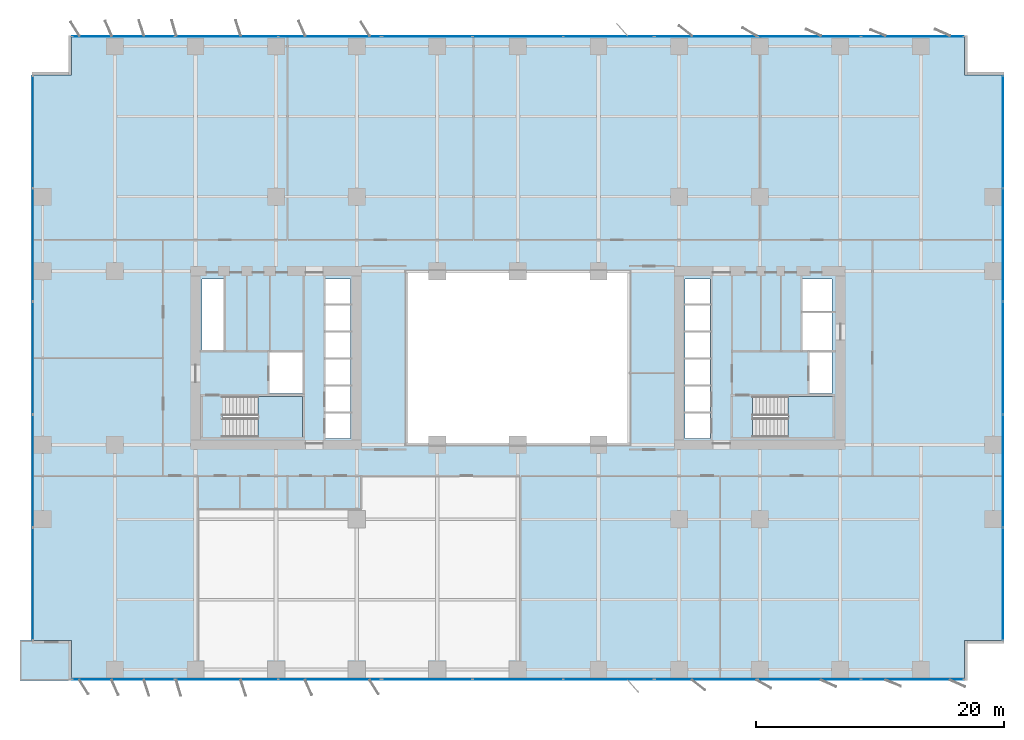
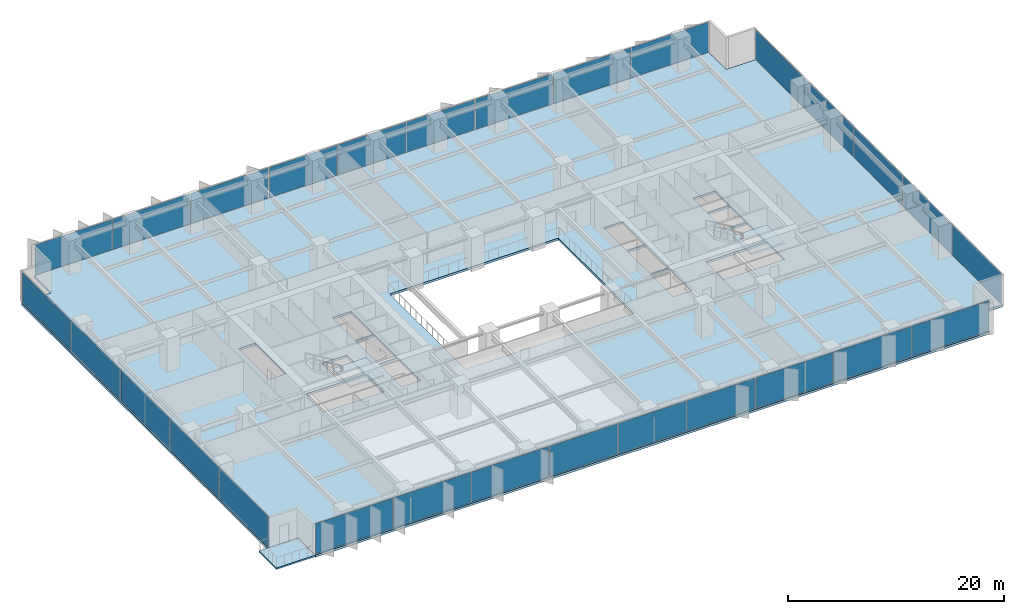
# One storey, part 12 of 21: 28 plates, 4 slabs, 10 elements without a shape of their own.
"""IFC4 building model written with IfcOpenShell, lengths in metres."""

from ifc_helpers import new_model, si_unit, direction, frame, origin, origin_2d, place, context, subcontext, project, spatial, polyline, rectangle, outline, extrude, material, layer, layer_set, type_object, element, aggregate, save


model = new_model("IFC4")

# Units and contexts
model_context = context("Model", 3, precision=1e-05, world=origin(), true_north=direction((0.0, 1.0)))
body_context = subcontext(model_context, "Body", "Model", "MODEL_VIEW")
ifc_project = project(units=[si_unit("LENGTHUNIT", "METRE"), si_unit("AREAUNIT", "SQUARE_METRE"), si_unit("VOLUMEUNIT", "CUBIC_METRE"), si_unit("PLANEANGLEUNIT", "RADIAN"), si_unit("MASSUNIT", "GRAM", prefix="KILO")], contexts=[model_context])

# Site, building, storey
site_placement = place(None, origin())
site = spatial("IfcSite", under=ifc_project, at=site_placement, CompositionType="ELEMENT")
building_placement = place(site_placement, origin())
building = spatial("IfcBuilding", under=site, at=building_placement, Name="Putna Gate Headquarters", CompositionType="ELEMENT")
storey_placement = place(building_placement, frame((0.0, 0.0, 39.199951171875)))
storey = spatial("IfcBuildingStorey", under=building, at=storey_placement, Name="L08", CompositionType="ELEMENT", Elevation=39.199951171875)

# Stair, slab
ifc_material_1 = material(Name="Concrete C40/50", Category="concrete")
stair_type_1 = type_object("IfcStairType", Name="STAIR-ST1", PredefinedType="HALF_TURN_STAIR", material=ifc_material_1)
stair_1_placement = place(storey_placement, origin())
stair_1 = element("IfcStair", 1, at=stair_1_placement, inside=storey, type_object=stair_type_1, Name="L08 West Core Exit Stair ST1", PredefinedType="HALF_TURN_STAIR")
ifc_layer_1 = layer(ifc_material_1, 0.199951171875)
ifc_layer_set_1 = layer_set([ifc_layer_1], Name="Concrete C40/50")
slab_type_1 = type_object("IfcSlabType", Name="LANDING-ST1", PredefinedType="LANDING", material=ifc_layer_set_1)
slab_1_placement = place(storey_placement, frame((0.0, 0.0, 1.699951171875)))
slab_1 = element("IfcSlab", 2, at=slab_1_placement, type_object=slab_type_1, Name="ST1 landing 1", PredefinedType="LANDING", context=body_context, shape_type="SweptSolid", body=[
    extrude(outline(polyline([(18.050048828125, 19.60009765625), (21.64990234375, 19.60009765625), (21.64990234375, 22.89990234375), (18.050048828125, 22.89990234375), (18.050048828125, 19.60009765625)])), origin(), (0.0, 0.0, 1.0), 0.2001953125),
])
aggregate(stair_1, [slab_1])

stair_type_2 = type_object("IfcStairType", Name="STAIR-ST2", PredefinedType="HALF_TURN_STAIR", material=ifc_material_1)
stair_2_placement = place(storey_placement, origin())
stair_2 = element("IfcStair", 3, at=stair_2_placement, inside=storey, type_object=stair_type_2, Name="L08 East Core Exit Stair ST2", PredefinedType="HALF_TURN_STAIR")
ifc_layer_2 = layer(ifc_material_1, 0.199951171875)
ifc_layer_set_2 = layer_set([ifc_layer_2], Name="Concrete C40/50")
slab_type_2 = type_object("IfcSlabType", Name="LANDING-ST2", PredefinedType="LANDING", material=ifc_layer_set_2)
slab_2_placement = place(storey_placement, frame((0.0, 0.0, 1.699951171875)))
slab_2 = element("IfcSlab", 4, at=slab_2_placement, type_object=slab_type_2, Name="ST2 landing 1", PredefinedType="LANDING", context=body_context, shape_type="SweptSolid", body=[
    extrude(outline(polyline([(60.800048828125, 19.60009765625), (64.39990234375, 19.60009765625), (64.39990234375, 22.89990234375), (60.800048828125, 22.89990234375), (60.800048828125, 19.60009765625)])), origin(), (0.0, 0.0, 1.0), 0.2001953125),
])
aggregate(stair_2, [slab_2])

# Curtain wall, plates
ifc_material_2 = material(Name="Anodised bronze aluminium curtain wall", Category="aluminium")
ifc_layer_3 = layer(ifc_material_2, 0.179931640625)
ifc_layer_set_3 = layer_set([ifc_layer_3], Name="Anodised bronze aluminium curtain wall")
curtain_wall_type_1 = type_object("IfcCurtainWallType", Name="CW-SYS-Z1", PredefinedType="USERDEFINED", material=ifc_layer_set_3)
curtain_wall_1_placement = place(storey_placement, origin())
curtain_wall_1 = element("IfcCurtainWall", 5, at=curtain_wall_1_placement, inside=storey, type_object=curtain_wall_type_1, Name="L08 South West Curtain Wall", ObjectType="STICK CURTAIN WALL", PredefinedType="USERDEFINED")
ifc_material_3 = material(Name="Solar-control triple low-E glass", Category="glass")
ifc_layer_4 = layer(ifc_material_3, 0.031982421875)
ifc_layer_set_4 = layer_set([ifc_layer_4], Name="Solar-control triple low-E glass")
plate_type_1 = type_object("IfcPlateType", Name="PAN-CWP-1", PredefinedType="CURTAIN_PANEL", material=ifc_layer_set_4)
plate_1_placement = place(storey_placement, frame((7.18408203125, 0.080078125, 0.065185546875), z_axis=(0.0, 0.0, 1.0), x_axis=(1.0, 0.0, 0.0)))
plate_1 = element("IfcPlate", 6, at=plate_1_placement, type_object=plate_type_1, Name="CWS-1 panel 1.1", PredefinedType="CURTAIN_PANEL", context=body_context, shape_type="SweptSolid", body=[
    extrude(rectangle(XDim=8.228271484375, YDim=0.031982421875, at=origin_2d()), origin(), (0.0, 0.0, 1.0), 3.419921875),
])
plate_2_placement = place(storey_placement, frame((15.5, 0.080078125, 0.065185546875), z_axis=(0.0, 0.0, 1.0), x_axis=(1.0, 0.0, 0.0)))
plate_2 = element("IfcPlate", 7, at=plate_2_placement, type_object=plate_type_1, Name="CWS-1 panel 2.1", PredefinedType="CURTAIN_PANEL", context=body_context, shape_type="SweptSolid", body=[
    extrude(rectangle(XDim=8.263427734375, YDim=0.031982421875, at=origin_2d()), origin(), (0.0, 0.0, 1.0), 3.419921875),
])
plate_3_placement = place(storey_placement, frame((23.81591796875, 0.080078125, 0.065185546875), z_axis=(0.0, 0.0, 1.0), x_axis=(1.0, 0.0, 0.0)))
plate_3 = element("IfcPlate", 8, at=plate_3_placement, type_object=plate_type_1, Name="CWS-1 panel 3.1", PredefinedType="CURTAIN_PANEL", context=body_context, shape_type="SweptSolid", body=[
    extrude(rectangle(XDim=8.228271484375, YDim=0.031982421875, at=origin_2d()), origin(), (0.0, 0.0, 1.0), 3.419921875),
])
aggregate(curtain_wall_1, [plate_1, plate_2, plate_3])

curtain_wall_2_placement = place(storey_placement, origin())
curtain_wall_2 = element("IfcCurtainWall", 9, at=curtain_wall_2_placement, inside=storey, type_object=curtain_wall_type_1, Name="L08 South East Curtain Wall", ObjectType="STICK CURTAIN WALL", PredefinedType="USERDEFINED")
plate_4_placement = place(storey_placement, frame((54.18408203125, 0.080078125, 0.065185546875), z_axis=(0.0, 0.0, 1.0), x_axis=(1.0, 0.0, 0.0)))
plate_4 = element("IfcPlate", 10, at=plate_4_placement, type_object=plate_type_1, Name="CWS-1 panel 1.1", PredefinedType="CURTAIN_PANEL", context=body_context, shape_type="SweptSolid", body=[
    extrude(rectangle(XDim=8.228271484375, YDim=0.031982421875, at=origin_2d()), origin(), (0.0, 0.0, 1.0), 3.419921875),
])
plate_5_placement = place(storey_placement, frame((62.5, 0.080078125, 0.065185546875), z_axis=(0.0, 0.0, 1.0), x_axis=(1.0, 0.0, 0.0)))
plate_5 = element("IfcPlate", 11, at=plate_5_placement, type_object=plate_type_1, Name="CWS-1 panel 2.1", PredefinedType="CURTAIN_PANEL", context=body_context, shape_type="SweptSolid", body=[
    extrude(rectangle(XDim=8.263427734375, YDim=0.031982421875, at=origin_2d()), origin(), (0.0, 0.0, 1.0), 3.419921875),
])
plate_6_placement = place(storey_placement, frame((70.81591796875, 0.080078125, 0.065185546875), z_axis=(0.0, 0.0, 1.0), x_axis=(1.0, 0.0, 0.0)))
plate_6 = element("IfcPlate", 12, at=plate_6_placement, type_object=plate_type_1, Name="CWS-1 panel 3.1", PredefinedType="CURTAIN_PANEL", context=body_context, shape_type="SweptSolid", body=[
    extrude(rectangle(XDim=8.228271484375, YDim=0.031982421875, at=origin_2d()), origin(), (0.0, 0.0, 1.0), 3.419921875),
])
aggregate(curtain_wall_2, [plate_4, plate_5, plate_6])

curtain_wall_3_placement = place(storey_placement, origin())
curtain_wall_3 = element("IfcCurtainWall", 13, at=curtain_wall_3_placement, inside=storey, type_object=curtain_wall_type_1, Name="L08 North West Curtain Wall", ObjectType="STICK CURTAIN WALL", PredefinedType="USERDEFINED")
plate_7_placement = place(storey_placement, frame((7.18408203125, 51.919921875, 0.065185546875), z_axis=(0.0, 0.0, 1.0), x_axis=(1.0, 0.0, 0.0)))
plate_7 = element("IfcPlate", 14, at=plate_7_placement, type_object=plate_type_1, Name="CWS-1 panel 1.1", PredefinedType="CURTAIN_PANEL", context=body_context, shape_type="SweptSolid", body=[
    extrude(rectangle(XDim=8.228271484375, YDim=0.031982421875, at=origin_2d()), origin(), (0.0, 0.0, 1.0), 3.419921875),
])
plate_8_placement = place(storey_placement, frame((15.5, 51.919921875, 0.065185546875), z_axis=(0.0, 0.0, 1.0), x_axis=(1.0, 0.0, 0.0)))
plate_8 = element("IfcPlate", 15, at=plate_8_placement, type_object=plate_type_1, Name="CWS-1 panel 2.1", PredefinedType="CURTAIN_PANEL", context=body_context, shape_type="SweptSolid", body=[
    extrude(rectangle(XDim=8.263427734375, YDim=0.031982421875, at=origin_2d()), origin(), (0.0, 0.0, 1.0), 3.419921875),
])
plate_9_placement = place(storey_placement, frame((23.81591796875, 51.919921875, 0.065185546875), z_axis=(0.0, 0.0, 1.0), x_axis=(1.0, 0.0, 0.0)))
plate_9 = element("IfcPlate", 16, at=plate_9_placement, type_object=plate_type_1, Name="CWS-1 panel 3.1", PredefinedType="CURTAIN_PANEL", context=body_context, shape_type="SweptSolid", body=[
    extrude(rectangle(XDim=8.228271484375, YDim=0.031982421875, at=origin_2d()), origin(), (0.0, 0.0, 1.0), 3.419921875),
])
aggregate(curtain_wall_3, [plate_7, plate_8, plate_9])

curtain_wall_4_placement = place(storey_placement, origin())
curtain_wall_4 = element("IfcCurtainWall", 17, at=curtain_wall_4_placement, inside=storey, type_object=curtain_wall_type_1, Name="L08 North East Curtain Wall", ObjectType="STICK CURTAIN WALL", PredefinedType="USERDEFINED")
plate_10_placement = place(storey_placement, frame((54.18408203125, 51.919921875, 0.065185546875), z_axis=(0.0, 0.0, 1.0), x_axis=(1.0, 0.0, 0.0)))
plate_10 = element("IfcPlate", 18, at=plate_10_placement, type_object=plate_type_1, Name="CWS-1 panel 1.1", PredefinedType="CURTAIN_PANEL", context=body_context, shape_type="SweptSolid", body=[
    extrude(rectangle(XDim=8.228271484375, YDim=0.031982421875, at=origin_2d()), origin(), (0.0, 0.0, 1.0), 3.419921875),
])
plate_11_placement = place(storey_placement, frame((62.5, 51.919921875, 0.065185546875), z_axis=(0.0, 0.0, 1.0), x_axis=(1.0, 0.0, 0.0)))
plate_11 = element("IfcPlate", 19, at=plate_11_placement, type_object=plate_type_1, Name="CWS-1 panel 2.1", PredefinedType="CURTAIN_PANEL", context=body_context, shape_type="SweptSolid", body=[
    extrude(rectangle(XDim=8.263427734375, YDim=0.031982421875, at=origin_2d()), origin(), (0.0, 0.0, 1.0), 3.419921875),
])
plate_12_placement = place(storey_placement, frame((70.81591796875, 51.919921875, 0.065185546875), z_axis=(0.0, 0.0, 1.0), x_axis=(1.0, 0.0, 0.0)))
plate_12 = element("IfcPlate", 20, at=plate_12_placement, type_object=plate_type_1, Name="CWS-1 panel 3.1", PredefinedType="CURTAIN_PANEL", context=body_context, shape_type="SweptSolid", body=[
    extrude(rectangle(XDim=8.228271484375, YDim=0.031982421875, at=origin_2d()), origin(), (0.0, 0.0, 1.0), 3.419921875),
])
aggregate(curtain_wall_4, [plate_10, plate_11, plate_12])

curtain_wall_5_placement = place(storey_placement, origin())
curtain_wall_5 = element("IfcCurtainWall", 21, at=curtain_wall_5_placement, inside=storey, type_object=curtain_wall_type_1, Name="L08 West Curtain Wall", ObjectType="STICK CURTAIN WALL", PredefinedType="USERDEFINED")
plate_13_placement = place(storey_placement, frame((-0.1201171875, 7.777587890625, 0.065185546875), z_axis=(0.0, 0.0, 1.0), x_axis=(0.0, 1.0, 0.0)))
plate_13 = element("IfcPlate", 22, at=plate_13_placement, type_object=plate_type_1, Name="CWS-1 panel 1.1", PredefinedType="CURTAIN_PANEL", context=body_context, shape_type="SweptSolid", body=[
    extrude(rectangle(XDim=9.014892578125, YDim=0.031982421875, at=origin_2d()), origin(), (0.0, 0.0, 1.0), 3.419921875),
])
plate_14_placement = place(storey_placement, frame((-0.1201171875, 16.8798828125, 0.065185546875), z_axis=(0.0, 0.0, 1.0), x_axis=(0.0, 1.0, 0.0)))
plate_14 = element("IfcPlate", 23, at=plate_14_placement, type_object=plate_type_1, Name="CWS-1 panel 2.1", PredefinedType="CURTAIN_PANEL", context=body_context, shape_type="SweptSolid", body=[
    extrude(rectangle(XDim=9.050048828125, YDim=0.031982421875, at=origin_2d()), origin(), (0.0, 0.0, 1.0), 3.419921875),
])
plate_15_placement = place(storey_placement, frame((-0.1201171875, 26.0, 0.065185546875), z_axis=(0.0, 0.0, 1.0), x_axis=(0.0, 1.0, 0.0)))
plate_15 = element("IfcPlate", 24, at=plate_15_placement, type_object=plate_type_1, Name="CWS-1 panel 3.1", PredefinedType="CURTAIN_PANEL", context=body_context, shape_type="SweptSolid", body=[
    extrude(rectangle(XDim=9.050048828125, YDim=0.031982421875, at=origin_2d()), origin(), (0.0, 0.0, 1.0), 3.419921875),
])
plate_16_placement = place(storey_placement, frame((-0.1201171875, 35.1201171875, 0.065185546875), z_axis=(0.0, 0.0, 1.0), x_axis=(0.0, 1.0, 0.0)))
plate_16 = element("IfcPlate", 25, at=plate_16_placement, type_object=plate_type_1, Name="CWS-1 panel 4.1", PredefinedType="CURTAIN_PANEL", context=body_context, shape_type="SweptSolid", body=[
    extrude(rectangle(XDim=9.050048828125, YDim=0.031982421875, at=origin_2d()), origin(), (0.0, 0.0, 1.0), 3.419921875),
])
plate_17_placement = place(storey_placement, frame((-0.1201171875, 44.222412109375, 0.065185546875), z_axis=(0.0, 0.0, 1.0), x_axis=(0.0, 1.0, 0.0)))
plate_17 = element("IfcPlate", 26, at=plate_17_placement, type_object=plate_type_1, Name="CWS-1 panel 5.1", PredefinedType="CURTAIN_PANEL", context=body_context, shape_type="SweptSolid", body=[
    extrude(rectangle(XDim=9.014892578125, YDim=0.031982421875, at=origin_2d()), origin(), (0.0, 0.0, 1.0), 3.419921875),
])
aggregate(curtain_wall_5, [plate_13, plate_14, plate_15, plate_16, plate_17])

curtain_wall_6_placement = place(storey_placement, origin())
curtain_wall_6 = element("IfcCurtainWall", 27, at=curtain_wall_6_placement, inside=storey, type_object=curtain_wall_type_1, Name="L08 East Curtain Wall", ObjectType="STICK CURTAIN WALL", PredefinedType="USERDEFINED")
plate_18_placement = place(storey_placement, frame((78.1201171875, 7.777587890625, 0.065185546875), z_axis=(0.0, 0.0, 1.0), x_axis=(0.0, 1.0, 0.0)))
plate_18 = element("IfcPlate", 28, at=plate_18_placement, type_object=plate_type_1, Name="CWS-1 panel 1.1", PredefinedType="CURTAIN_PANEL", context=body_context, shape_type="SweptSolid", body=[
    extrude(rectangle(XDim=9.014892578125, YDim=0.031982421875, at=origin_2d()), origin(), (0.0, 0.0, 1.0), 3.419921875),
])
plate_19_placement = place(storey_placement, frame((78.1201171875, 16.8798828125, 0.065185546875), z_axis=(0.0, 0.0, 1.0), x_axis=(0.0, 1.0, 0.0)))
plate_19 = element("IfcPlate", 29, at=plate_19_placement, type_object=plate_type_1, Name="CWS-1 panel 2.1", PredefinedType="CURTAIN_PANEL", context=body_context, shape_type="SweptSolid", body=[
    extrude(rectangle(XDim=9.050048828125, YDim=0.031982421875, at=origin_2d()), origin(), (0.0, 0.0, 1.0), 3.419921875),
])
plate_20_placement = place(storey_placement, frame((78.1201171875, 26.0, 0.065185546875), z_axis=(0.0, 0.0, 1.0), x_axis=(0.0, 1.0, 0.0)))
plate_20 = element("IfcPlate", 30, at=plate_20_placement, type_object=plate_type_1, Name="CWS-1 panel 3.1", PredefinedType="CURTAIN_PANEL", context=body_context, shape_type="SweptSolid", body=[
    extrude(rectangle(XDim=9.050048828125, YDim=0.031982421875, at=origin_2d()), origin(), (0.0, 0.0, 1.0), 3.419921875),
])
plate_21_placement = place(storey_placement, frame((78.1201171875, 35.1201171875, 0.065185546875), z_axis=(0.0, 0.0, 1.0), x_axis=(0.0, 1.0, 0.0)))
plate_21 = element("IfcPlate", 31, at=plate_21_placement, type_object=plate_type_1, Name="CWS-1 panel 4.1", PredefinedType="CURTAIN_PANEL", context=body_context, shape_type="SweptSolid", body=[
    extrude(rectangle(XDim=9.050048828125, YDim=0.031982421875, at=origin_2d()), origin(), (0.0, 0.0, 1.0), 3.419921875),
])
plate_22_placement = place(storey_placement, frame((78.1201171875, 44.222412109375, 0.065185546875), z_axis=(0.0, 0.0, 1.0), x_axis=(0.0, 1.0, 0.0)))
plate_22 = element("IfcPlate", 32, at=plate_22_placement, type_object=plate_type_1, Name="CWS-1 panel 5.1", PredefinedType="CURTAIN_PANEL", context=body_context, shape_type="SweptSolid", body=[
    extrude(rectangle(XDim=9.014892578125, YDim=0.031982421875, at=origin_2d()), origin(), (0.0, 0.0, 1.0), 3.419921875),
])
aggregate(curtain_wall_6, [plate_18, plate_19, plate_20, plate_21, plate_22])

ifc_layer_5 = layer(ifc_material_2, 0.179931640625)
ifc_layer_set_5 = layer_set([ifc_layer_5], Name="Anodised bronze aluminium curtain wall")
curtain_wall_type_2 = type_object("IfcCurtainWallType", Name="CW-SYS-ATR", PredefinedType="USERDEFINED", material=ifc_layer_set_5)
curtain_wall_7_placement = place(storey_placement, origin())
curtain_wall_7 = element("IfcCurtainWall", 33, at=curtain_wall_7_placement, inside=storey, type_object=curtain_wall_type_2, Name="L08 South Atrium Clear Glazing", ObjectType="ATRIUM GLAZING", PredefinedType="USERDEFINED")
ifc_material_4 = material(Name="Clear low-iron triple glazing", Category="glass")
ifc_layer_6 = layer(ifc_material_4, 0.0400390625)
ifc_layer_set_6 = layer_set([ifc_layer_6], Name="Clear low-iron triple glazing")
plate_type_2 = type_object("IfcPlateType", Name="PAN-CWP-AT", PredefinedType="CURTAIN_PANEL", material=ifc_layer_set_6)
plate_23_placement = place(storey_placement, frame((31.68408203125, 0.080078125, 0.0703125), z_axis=(0.0, 0.0, 1.0), x_axis=(1.0, 0.0, 0.0)))
plate_23 = element("IfcPlate", 34, at=plate_23_placement, type_object=plate_type_2, Name="CWS-AT panel 1.1", PredefinedType="CURTAIN_PANEL", context=body_context, shape_type="SweptSolid", body=[
    extrude(rectangle(XDim=7.228271484375, YDim=0.0400390625, at=origin_2d()), origin(), (0.0, 0.0, 1.0), 3.409912109375),
])
plate_24_placement = place(storey_placement, frame((39.0, 0.080078125, 0.0703125), z_axis=(0.0, 0.0, 1.0), x_axis=(1.0, 0.0, 0.0)))
plate_24 = element("IfcPlate", 35, at=plate_24_placement, type_object=plate_type_2, Name="CWS-AT panel 2.1", PredefinedType="CURTAIN_PANEL", context=body_context, shape_type="SweptSolid", body=[
    extrude(rectangle(XDim=7.263427734375, YDim=0.0400390625, at=origin_2d()), origin(), (0.0, 0.0, 1.0), 3.409912109375),
])
plate_25_placement = place(storey_placement, frame((46.31591796875, 0.080078125, 0.0703125), z_axis=(0.0, 0.0, 1.0), x_axis=(1.0, 0.0, 0.0)))
plate_25 = element("IfcPlate", 36, at=plate_25_placement, type_object=plate_type_2, Name="CWS-AT panel 3.1", PredefinedType="CURTAIN_PANEL", context=body_context, shape_type="SweptSolid", body=[
    extrude(rectangle(XDim=7.228271484375, YDim=0.0400390625, at=origin_2d()), origin(), (0.0, 0.0, 1.0), 3.409912109375),
])
aggregate(curtain_wall_7, [plate_23, plate_24, plate_25])

curtain_wall_8_placement = place(storey_placement, origin())
curtain_wall_8 = element("IfcCurtainWall", 37, at=curtain_wall_8_placement, inside=storey, type_object=curtain_wall_type_2, Name="L08 North Atrium Clear Glazing", ObjectType="ATRIUM GLAZING", PredefinedType="USERDEFINED")
plate_26_placement = place(storey_placement, frame((31.68408203125, 51.919921875, 0.0703125), z_axis=(0.0, 0.0, 1.0), x_axis=(1.0, 0.0, 0.0)))
plate_26 = element("IfcPlate", 38, at=plate_26_placement, type_object=plate_type_2, Name="CWS-AT panel 1.1", PredefinedType="CURTAIN_PANEL", context=body_context, shape_type="SweptSolid", body=[
    extrude(rectangle(XDim=7.228271484375, YDim=0.0400390625, at=origin_2d()), origin(), (0.0, 0.0, 1.0), 3.409912109375),
])
plate_27_placement = place(storey_placement, frame((39.0, 51.919921875, 0.0703125), z_axis=(0.0, 0.0, 1.0), x_axis=(1.0, 0.0, 0.0)))
plate_27 = element("IfcPlate", 39, at=plate_27_placement, type_object=plate_type_2, Name="CWS-AT panel 2.1", PredefinedType="CURTAIN_PANEL", context=body_context, shape_type="SweptSolid", body=[
    extrude(rectangle(XDim=7.263427734375, YDim=0.0400390625, at=origin_2d()), origin(), (0.0, 0.0, 1.0), 3.409912109375),
])
plate_28_placement = place(storey_placement, frame((46.31591796875, 51.919921875, 0.0703125), z_axis=(0.0, 0.0, 1.0), x_axis=(1.0, 0.0, 0.0)))
plate_28 = element("IfcPlate", 40, at=plate_28_placement, type_object=plate_type_2, Name="CWS-AT panel 3.1", PredefinedType="CURTAIN_PANEL", context=body_context, shape_type="SweptSolid", body=[
    extrude(rectangle(XDim=7.228271484375, YDim=0.0400390625, at=origin_2d()), origin(), (0.0, 0.0, 1.0), 3.409912109375),
])
aggregate(curtain_wall_8, [plate_26, plate_27, plate_28])

# Slabs
ifc_layer_7 = layer(ifc_material_1, 0.179931640625)
ifc_layer_set_7 = layer_set([ifc_layer_7], Name="Concrete C40/50")
slab_type_3 = type_object("IfcSlabType", Name="SLAB-TERRACE-180", PredefinedType="FLOOR", material=ifc_layer_set_7)
slab_3_placement = place(storey_placement, frame((0.0, 0.0, -0.179931640625)))
element("IfcSlab", 41, at=slab_3_placement, inside=storey, type_object=slab_type_3, Name="L08 Spiral Sky-Garden Terrace Slab (SW)", PredefinedType="FLOOR", context=body_context, shape_type="SweptSolid", body=[
    extrude(outline(polyline([(-1.14990234375, 0.0), (3.008056640625, 0.0), (3.008056640625, 3.2080078125), (-1.14990234375, 3.2080078125), (-1.14990234375, 0.0)])), origin(), (0.0, 0.0, 1.0), 0.179931640625),
])
ifc_layer_8 = layer(ifc_material_1, 0.25)
ifc_layer_set_8 = layer_set([ifc_layer_8], Name="Concrete C40/50")
slab_type_4 = type_object("IfcSlabType", Name="SLAB-Z1-250", PredefinedType="FLOOR", material=ifc_layer_set_8)
slab_4_placement = place(storey_placement, frame((0.0, 0.0, -0.25)))
element("IfcSlab", 42, at=slab_4_placement, inside=storey, type_object=slab_type_4, Name="L08 Composite Floor Slab", PredefinedType="FLOOR", context=body_context, shape_type="SweptSolid", body=[
    extrude(outline(polyline([(3.0, 0.0), (75.0, 0.0), (75.0, 3.199951171875), (78.199951171875, 3.199951171875), (78.199951171875, 48.800048828125), (75.0, 48.800048828125), (75.0, 52.0), (3.0, 52.0), (3.0, 48.800048828125), (-0.199951171875, 48.800048828125), (-0.199951171875, 3.199951171875), (3.0, 3.199951171875), (3.0, 0.0)]), holes=[polyline([(15.1650390625, 19.60009765625), (21.64990234375, 19.60009765625), (21.64990234375, 22.89990234375), (15.1650390625, 22.89990234375), (15.1650390625, 19.60009765625)]), polyline([(57.9150390625, 19.60009765625), (64.39990234375, 19.60009765625), (64.39990234375, 22.89990234375), (57.9150390625, 22.89990234375), (57.9150390625, 19.60009765625)]), polyline([(13.52001953125, 26.659912109375), (15.280029296875, 26.659912109375), (15.280029296875, 32.35009765625), (13.52001953125, 32.35009765625), (13.52001953125, 26.659912109375)]), polyline([(61.969970703125, 29.780029296875), (64.35009765625, 29.780029296875), (64.35009765625, 32.35009765625), (61.969970703125, 32.35009765625), (61.969970703125, 29.780029296875)]), polyline([(18.97998046875, 23.1201171875), (21.6201171875, 23.1201171875), (21.6201171875, 26.4599609375), (18.97998046875, 26.4599609375), (18.97998046875, 23.1201171875)]), polyline([(62.52001953125, 23.1201171875), (64.35009765625, 23.1201171875), (64.35009765625, 26.4599609375), (62.52001953125, 26.4599609375), (62.52001953125, 23.1201171875)]), polyline([(61.969970703125, 26.659912109375), (64.35009765625, 26.659912109375), (64.35009765625, 29.6201171875), (61.969970703125, 29.6201171875), (61.969970703125, 26.659912109375)]), polyline([(23.5, 19.52001953125), (25.5, 19.52001953125), (25.5, 23.699951171875), (23.5, 23.699951171875), (23.5, 19.52001953125)]), polyline([(52.47998046875, 19.52001953125), (54.5, 19.52001953125), (54.5, 23.699951171875), (52.47998046875, 23.699951171875), (52.47998046875, 19.52001953125)]), polyline([(23.5, 23.860107421875), (25.5, 23.860107421875), (25.5, 28.0400390625), (23.5, 28.0400390625), (23.5, 23.860107421875)]), polyline([(52.47998046875, 23.860107421875), (54.5, 23.860107421875), (54.5, 28.0400390625), (52.47998046875, 28.0400390625), (52.47998046875, 23.860107421875)]), polyline([(23.5, 28.199951171875), (25.5, 28.199951171875), (25.5, 32.35009765625), (23.5, 32.35009765625), (23.5, 28.199951171875)]), polyline([(52.47998046875, 28.199951171875), (54.5, 28.199951171875), (54.5, 32.35009765625), (52.47998046875, 32.35009765625), (52.47998046875, 28.199951171875)]), polyline([(30.0, 19.0), (48.0, 19.0), (48.0, 33.0), (30.0, 33.0), (30.0, 19.0)])]), origin(), (0.0, 0.0, 1.0), 0.25),
])

save(model, "model.ifc")
